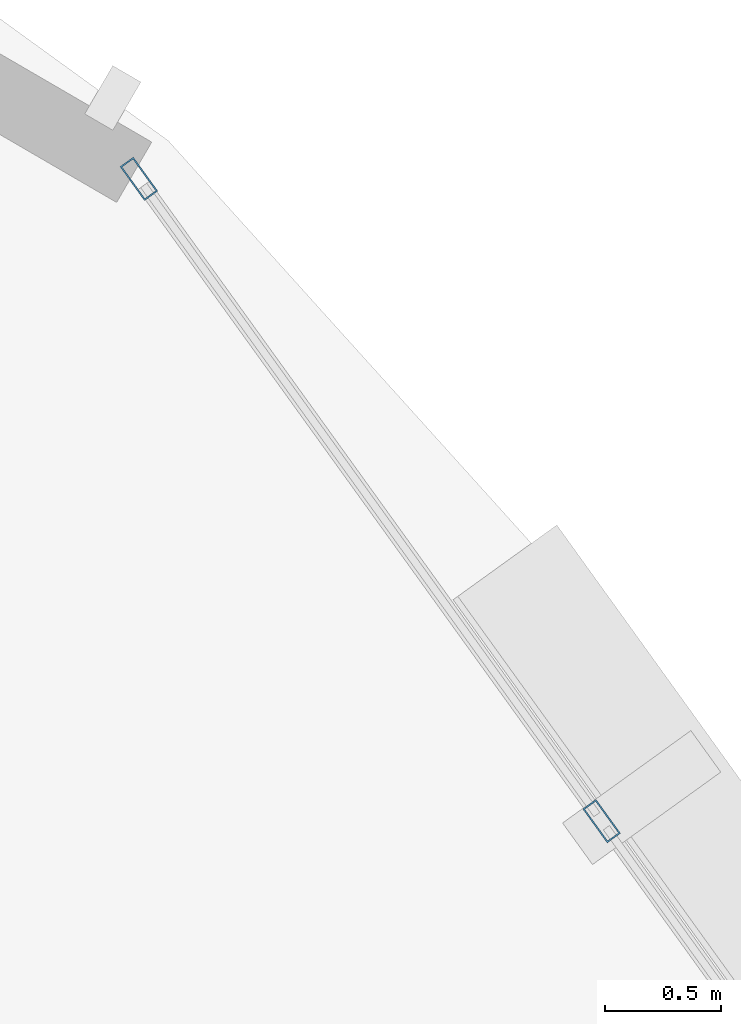
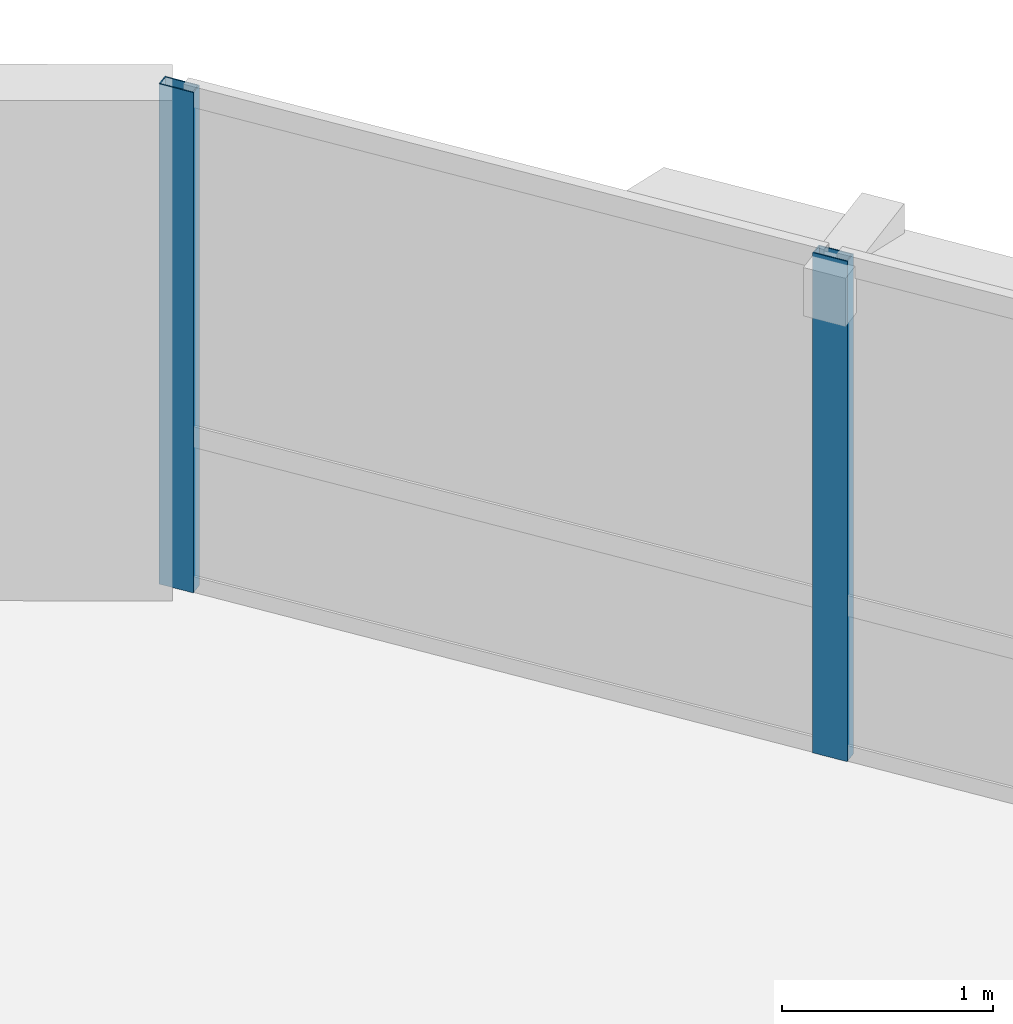
# One storey, part 8 of 14: 2 members, 1 element without a shape of its own.
"""IFC4 building model written with IfcOpenShell, lengths in metres."""

from ifc_helpers import new_model, si_unit, direction, frame, origin, origin_2d, place, context, subcontext, project, spatial, hollow_rectangle, extrude, material, layer, layer_set, material_profile, profile_set, type_object, element, aggregate, save


model = new_model("IFC4")

# Units and contexts
model_context = context("Model", 3, precision=1e-05, world=origin(), true_north=direction((0.0, 1.0)))
body_context = subcontext(model_context, "Body", "Model", "MODEL_VIEW")
ifc_project = project(units=[si_unit("LENGTHUNIT", "METRE"), si_unit("AREAUNIT", "SQUARE_METRE"), si_unit("VOLUMEUNIT", "CUBIC_METRE"), si_unit("PLANEANGLEUNIT", "RADIAN"), si_unit("MASSUNIT", "GRAM", prefix="KILO"), si_unit("THERMODYNAMICTEMPERATUREUNIT", "KELVIN"), si_unit("POWERUNIT", "WATT")], contexts=[model_context])

# Site, building, storey
site_placement = place(None, origin())
site = spatial("IfcSite", under=ifc_project, at=site_placement, CompositionType="ELEMENT")
building_placement = place(site_placement, origin())
building = spatial("IfcBuilding", under=site, at=building_placement, Name="Ocrelia Relay Tower", CompositionType="ELEMENT")
storey_placement = place(building_placement, frame((0.0, 0.0, 129.800048828125)))
storey = spatial("IfcBuildingStorey", under=building, at=storey_placement, Name="L30", CompositionType="ELEMENT", Elevation=129.800048828125)

# Curtain wall, members
ifc_material_1 = material(Name="Aluminium and solar-control low-E glass", Category="aluminium")
ifc_layer = layer(ifc_material_1, 0.179931640625, Name="Aluminium and solar-control low-E glass")
ifc_layer_set = layer_set([ifc_layer], Name="Aluminium and solar-control low-E glass")
curtain_wall_type = type_object("IfcCurtainWallType", Name="CW-SYS-Z2-SWIT", PredefinedType="NOTDEFINED", material=ifc_layer_set)
curtain_wall_placement = place(storey_placement, origin())
curtain_wall = element("IfcCurtainWall", 1, at=curtain_wall_placement, inside=storey, type_object=curtain_wall_type, Name="L30 Elliptical Tower Curtain Wall Bay 01", PredefinedType="NOTDEFINED")
ifc_material_2 = material(Name="Anodised bronze aluminium", Category="aluminium")
ifc_material_profile = material_profile(ifc_material_2, hollow_rectangle(XDim=0.070068359375, YDim=0.179931640625, WallThickness=0.006103515625, at=origin_2d()), Name="CW-MUL-180x70")
ifc_profile_set = profile_set([ifc_material_profile], Name="Anodised bronze aluminium")
member_type = type_object("IfcMemberType", Name="CW-SYS-Z2-SWIT-MUL", PredefinedType="MULLION", material=ifc_profile_set)
member_1_placement = place(storey_placement, frame((55.589111328125, 38.711181640625, 0.0), z_axis=(0.0, 0.0, 1.0), x_axis=(-0.811374390366, -0.58452681603, 0.0)))
member_1 = element("IfcMember", 2, at=member_1_placement, type_object=member_type, Name="CW-Z2 mullion 2", PredefinedType="MULLION", context=body_context, shape_type="SweptSolid", body=[
    extrude(hollow_rectangle(XDim=0.070068359375, YDim=0.179931640625, WallThickness=0.006103515625, at=origin_2d()), origin(), (0.0, 0.0, 1.0), 2.89990234375),
])
member_2_placement = place(storey_placement, frame((53.59912109375, 41.473388671875, 0.0), z_axis=(0.0, 0.0, 1.0), x_axis=(-0.811374390366, -0.58452681603, 0.0)))
member_2 = element("IfcMember", 3, at=member_2_placement, type_object=member_type, Name="CW-Z2 mullion 3", PredefinedType="MULLION", context=body_context, shape_type="SweptSolid", body=[
    extrude(hollow_rectangle(XDim=0.070068359375, YDim=0.179931640625, WallThickness=0.006103515625, at=origin_2d()), origin(), (0.0, 0.0, 1.0), 2.89990234375),
])
aggregate(curtain_wall, [member_1, member_2])

save(model, "model.ifc")
